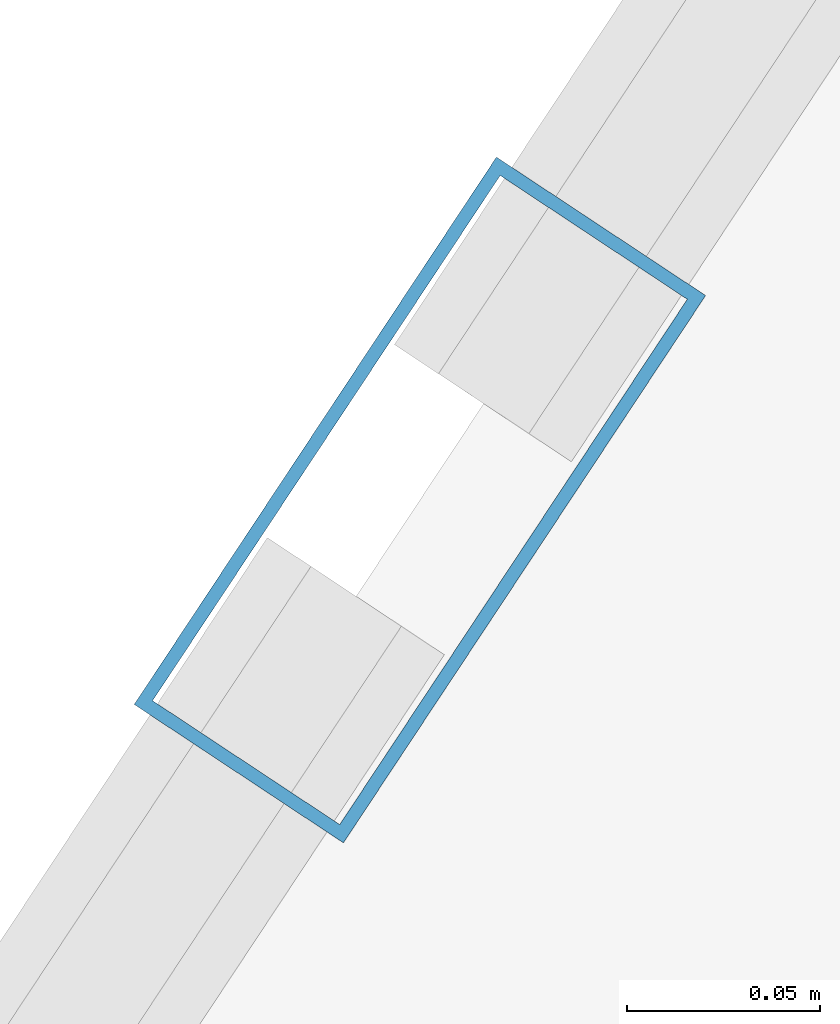
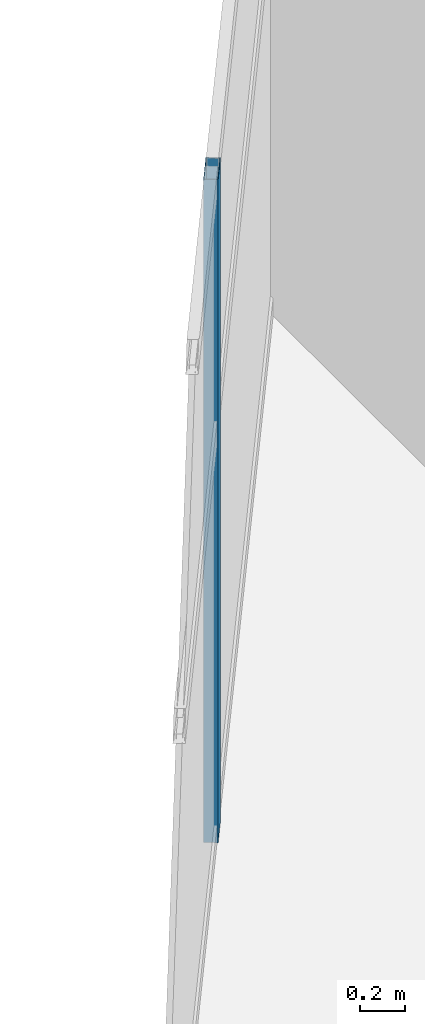
# One storey, part 13 of 28: 1 member, 1 element without a shape of its own.
"""IFC4 building model written with IfcOpenShell, lengths in metres."""

from ifc_helpers import new_model, si_unit, direction, frame, origin, origin_2d, place, context, subcontext, project, spatial, hollow_rectangle, extrude, material, layer, layer_set, material_profile, profile_set, type_object, element, aggregate, save


model = new_model("IFC4")

# Units and contexts
model_context = context("Model", 3, precision=1e-05, world=origin(), true_north=direction((0.0, 1.0)))
body_context = subcontext(model_context, "Body", "Model", "MODEL_VIEW")
ifc_project = project(units=[si_unit("LENGTHUNIT", "METRE"), si_unit("AREAUNIT", "SQUARE_METRE"), si_unit("VOLUMEUNIT", "CUBIC_METRE"), si_unit("PLANEANGLEUNIT", "RADIAN"), si_unit("MASSUNIT", "GRAM", prefix="KILO")], contexts=[model_context])

# Site, building, storey
site_placement = place(None, origin())
site = spatial("IfcSite", under=ifc_project, at=site_placement, CompositionType="ELEMENT")
building_placement = place(site_placement, origin())
building = spatial("IfcBuilding", under=site, at=building_placement, Name="Calvorn Quay Hotel", CompositionType="ELEMENT")
storey_placement = place(building_placement, frame((0.0, 0.0, 274.89990234375)))
storey = spatial("IfcBuildingStorey", under=building, at=storey_placement, Name="L68", CompositionType="ELEMENT", Elevation=274.89990234375)

# Curtain wall, member
ifc_material_1 = material(Name="Champagne Bronze Anodised Aluminium and Low-E Glass", Category="aluminium")
ifc_layer = layer(ifc_material_1, 0.219970703125)
ifc_layer_set = layer_set([ifc_layer], Name="CW-SYS-Z4")
curtain_wall_type = type_object("IfcCurtainWallType", Name="CW-SYS-Z4", PredefinedType="NOTDEFINED", material=ifc_layer_set)
curtain_wall_placement = place(storey_placement, origin())
curtain_wall = element("IfcCurtainWall", 1, at=curtain_wall_placement, inside=storey, type_object=curtain_wall_type, Name="Inner Court Curtain Wall L68-NE1", PredefinedType="NOTDEFINED")
ifc_material_2 = material(Name="Champagne Bronze Anodised Aluminium 6063-T6", Category="aluminium")
ifc_material_profile = material_profile(ifc_material_2, hollow_rectangle(XDim=0.06494140625, YDim=0.169921875, WallThickness=0.00341796875, at=origin_2d()), Name="ALU-M170x65x3.5")
ifc_profile_set = profile_set([ifc_material_profile], Name="Champagne Bronze Anodised Aluminium 6063-T6")
member_type = type_object("IfcMemberType", Name="CW-SYS-Z4-MUL", PredefinedType="MULLION", material=ifc_profile_set)
member_placement = place(storey_placement, frame((26.10009765625, 31.199951171875, 0.0), z_axis=(0.0, 0.0, 1.0), x_axis=(0.833932205724, -0.551866900852, 0.0)))
member = element("IfcMember", 2, at=member_placement, type_object=member_type, Name="CW-L68-NE1 mullion 2", PredefinedType="MULLION", context=body_context, shape_type="SweptSolid", body=[
    extrude(hollow_rectangle(XDim=0.06494140625, YDim=0.169921875, WallThickness=0.00341796875, at=origin_2d()), origin(), (0.0, 0.0, 1.0), 3.56005859375),
])
aggregate(curtain_wall, [member])

save(model, "model.ifc")
